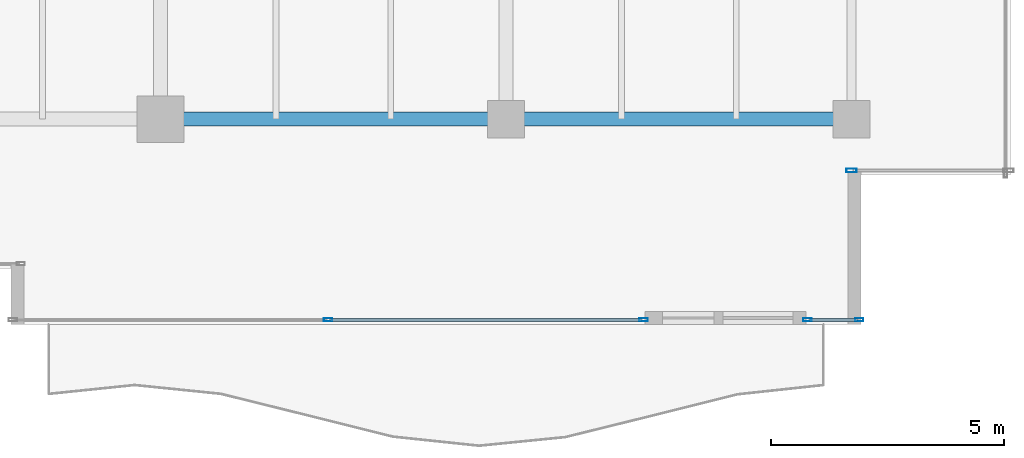
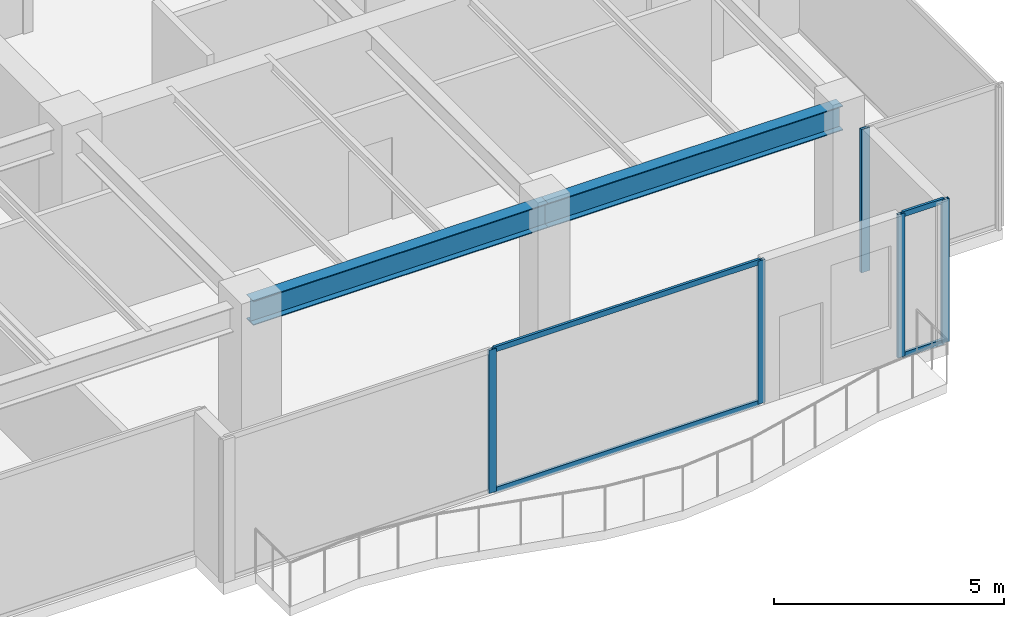
# One storey, part 12 of 34: 9 members, 2 beams, 3 elements without a shape of their own.
"""IFC4 building model written with IfcOpenShell, lengths in metres."""

from ifc_helpers import new_model, si_unit, direction, frame, origin, origin_2d, place, context, subcontext, project, spatial, hollow_rectangle, i_section, extrude, source, transform, mapped, material, layer, layer_set, material_profile, profile_set, type_object, type_shapes, element, aggregate, save


model = new_model("IFC4")

# Units and contexts
model_context = context("Model", 3, precision=1e-05, world=origin(), true_north=direction((0.0, 1.0)))
body_context = subcontext(model_context, "Body", "Model", "MODEL_VIEW")
ifc_project = project(units=[si_unit("LENGTHUNIT", "METRE"), si_unit("AREAUNIT", "SQUARE_METRE"), si_unit("VOLUMEUNIT", "CUBIC_METRE"), si_unit("PLANEANGLEUNIT", "RADIAN"), si_unit("MASSUNIT", "GRAM", prefix="KILO")], contexts=[model_context])

# Site, building, storey
site_placement = place(None, origin())
site = spatial("IfcSite", under=ifc_project, at=site_placement, CompositionType="ELEMENT")
building_placement = place(site_placement, origin())
building = spatial("IfcBuilding", under=site, at=building_placement, Name="Haelvirn Gate Laboratories", CompositionType="ELEMENT")
storey_placement = place(building_placement, frame((0.0, 0.0, 246.5)))
storey = spatial("IfcBuildingStorey", under=building, at=storey_placement, Name="L59", CompositionType="ELEMENT", Elevation=246.5)

# Beams
ifc_material_1 = material(Name="Steel SM355", Category="steel")
ifc_material_profile_1 = material_profile(ifc_material_1, i_section(OverallWidth=0.300048828125, OverallDepth=0.64990234375, WebThickness=0.012939453125, FlangeThickness=0.02197265625, at=origin_2d()), Name="H-650x300x13x22")
ifc_profile_set_1 = profile_set([ifc_material_profile_1], Name="Steel SM355")
beam_type = type_object("IfcBeamType", Name="BM-G-650", PredefinedType="BEAM", material=ifc_profile_set_1)
shared_shape_1 = source(origin(), body_context, "Body", "SweptSolid", [
    extrude(i_section(OverallWidth=0.300048828125, OverallDepth=0.64990234375, WebThickness=0.012939453125, FlangeThickness=0.02197265625, at=origin_2d()), origin(), (0.0, 0.0, 1.0), 7.39990234375),
])
type_shapes(beam_type, [shared_shape_1])
for number, where, z_axis, x_axis, name in (
    (1, (52.60009765625, 7.0, 3.47509765625), (1.0, 0.0, 0.0), (0.0, 1.0, 0.0), "L59 Primary Girder Y7.0 (52.6-60.0)"),
    (2, (60.0, 7.0, 3.47509765625), (1.0, 0.0, 0.0), (0.0, 1.0, 0.0), "L59 Primary Girder Y7.0 (60.0-67.4)"),
):
    element("IfcBeam", number, at=place(storey_placement, frame(where, z_axis=z_axis, x_axis=x_axis)), inside=storey, type_object=beam_type, Name=name, PredefinedType="BEAM", context=body_context, shape_type="MappedRepresentation", body=[
        mapped(shared_shape_1, transform((0.0, 0.0, 0.0), scale=1.0)),
    ])

# Curtain wall, members
ifc_material_2 = material(Name="Anodised bronze unitised aluminium & triple low-E glass", Category="aluminium")
ifc_layer_1 = layer(ifc_material_2, 0.176025390625, Name="CW-SYS-4")
ifc_layer_set_1 = layer_set([ifc_layer_1], Name="Anodised bronze unitised aluminium & triple low-E glass")
curtain_wall_type_1 = type_object("IfcCurtainWallType", Name="CW-SYS-4", PredefinedType="NOTDEFINED", material=ifc_layer_set_1)
curtain_wall_1_placement = place(storey_placement, origin())
curtain_wall_1 = element("IfcCurtainWall", 3, at=curtain_wall_1_placement, inside=storey, type_object=curtain_wall_type_1, Name="L59 Unitised Curtain Wall CW-L59-P0-E04-1", PredefinedType="NOTDEFINED")
ifc_material_3 = material(Name="Extruded aluminium 6063-T6 (anodised bronze)", Category="aluminium")
ifc_material_profile_2 = material_profile(ifc_material_3, hollow_rectangle(XDim=0.070068359375, YDim=0.179931640625, WallThickness=0.0048828125, at=origin_2d()), Name="CWM-180x70x5")
ifc_profile_set_2 = profile_set([ifc_material_profile_2], Name="Extruded aluminium 6063-T6 (anodised bronze)")
member_type_1 = type_object("IfcMemberType", Name="CWM-T180", PredefinedType="MULLION", material=ifc_profile_set_2)
shared_shape_2 = source(origin(), body_context, "Body", "SweptSolid", [
    extrude(hollow_rectangle(XDim=0.070068359375, YDim=0.179931640625, WallThickness=0.0048828125, at=origin_2d()), origin(), (0.0, 0.0, 1.0), 3.800048828125),
])
type_shapes(member_type_1, [shared_shape_2])
member_1_placement = place(storey_placement, frame((56.18994140625, 2.699951171875, 0.0), z_axis=(0.0, 0.0, 1.0), x_axis=(0.0, 1.0, 0.0)))
member_1 = element("IfcMember", 4, at=member_1_placement, type_object=member_type_1, Name="CW4 mullion 2", PredefinedType="MULLION", context=body_context, shape_type="MappedRepresentation", body=[
    mapped(shared_shape_2, transform((0.0, 0.0, 0.0), scale=1.0)),
])
member_2_placement = place(storey_placement, frame((62.945068359375, 2.699951171875, 0.0), z_axis=(0.0, 0.0, 1.0), x_axis=(0.0, 1.0, 0.0)))
member_2 = element("IfcMember", 5, at=member_2_placement, type_object=member_type_1, Name="CW4 mullion 3", PredefinedType="MULLION", context=body_context, shape_type="MappedRepresentation", body=[
    mapped(shared_shape_2, transform((0.0, 0.0, 0.0), scale=1.0)),
])

curtain_wall_2_placement = place(storey_placement, origin())
curtain_wall_2 = element("IfcCurtainWall", 6, at=curtain_wall_2_placement, inside=storey, type_object=curtain_wall_type_1, Name="L59 Unitised Curtain Wall CW-L59-P0-E04-2", PredefinedType="NOTDEFINED")
member_3_placement = place(storey_placement, frame((66.455078125, 2.699951171875, 0.0), z_axis=(0.0, 0.0, 1.0), x_axis=(0.0, 1.0, 0.0)))
member_3 = element("IfcMember", 7, at=member_3_placement, type_object=member_type_1, Name="CW4 mullion 1", PredefinedType="MULLION", context=body_context, shape_type="MappedRepresentation", body=[
    mapped(shared_shape_2, transform((0.0, 0.0, 0.0), scale=1.0)),
])
member_4_placement = place(storey_placement, frame((67.56494140625, 2.699951171875, 0.0), z_axis=(0.0, 0.0, 1.0), x_axis=(0.0, 1.0, 0.0)))
member_4 = element("IfcMember", 8, at=member_4_placement, type_object=member_type_1, Name="CW4 mullion 2", PredefinedType="MULLION", context=body_context, shape_type="MappedRepresentation", body=[
    mapped(shared_shape_2, transform((0.0, 0.0, 0.0), scale=1.0)),
])

# Curtain wall, member
ifc_layer_2 = layer(ifc_material_2, 0.181884765625, Name="CW-SYS-5")
ifc_layer_set_2 = layer_set([ifc_layer_2], Name="Anodised bronze unitised aluminium & triple low-E glass")
curtain_wall_type_2 = type_object("IfcCurtainWallType", Name="CW-SYS-5", PredefinedType="NOTDEFINED", material=ifc_layer_set_2)
curtain_wall_3_placement = place(storey_placement, origin())
curtain_wall_3 = element("IfcCurtainWall", 9, at=curtain_wall_3_placement, inside=storey, type_object=curtain_wall_type_2, Name="L59 Unitised Curtain Wall CW-L59-P0-E06-1", PredefinedType="NOTDEFINED")
ifc_material_profile_3 = material_profile(ifc_material_3, hollow_rectangle(XDim=0.080078125, YDim=0.219970703125, WallThickness=0.006103515625, at=origin_2d()), Name="CWM-220x80x6")
ifc_profile_set_3 = profile_set([ifc_material_profile_3], Name="Extruded aluminium 6063-T6 (anodised bronze)")
member_type_2 = type_object("IfcMemberType", Name="CWM-T220", PredefinedType="MULLION", material=ifc_profile_set_3)
shared_shape_3 = source(origin(), body_context, "Body", "SweptSolid", [
    extrude(hollow_rectangle(XDim=0.080078125, YDim=0.219970703125, WallThickness=0.006103515625, at=origin_2d()), origin(), (0.0, 0.0, 1.0), 3.800048828125),
])
type_shapes(member_type_2, [shared_shape_3])
member_5_placement = place(storey_placement, frame((67.39990234375, 5.89990234375, 0.0), z_axis=(0.0, 0.0, 1.0), x_axis=(0.0, 1.0, 0.0)))
member_5 = element("IfcMember", 10, at=member_5_placement, type_object=member_type_2, Name="CW5 mullion 1", PredefinedType="MULLION", context=body_context, shape_type="MappedRepresentation", body=[
    mapped(shared_shape_3, transform((0.0, 0.0, 0.0), scale=1.0)),
])
aggregate(curtain_wall_3, [member_5])

# Member
ifc_material_profile_4 = material_profile(ifc_material_3, hollow_rectangle(XDim=0.06494140625, YDim=0.139892578125, WallThickness=0.00390625, at=origin_2d()), Name="CWT-140x65x4")
ifc_profile_set_4 = profile_set([ifc_material_profile_4], Name="Extruded aluminium 6063-T6 (anodised bronze)")
member_type_3 = type_object("IfcMemberType", Name="CWT-T140", PredefinedType="USERDEFINED", material=ifc_profile_set_4)
shared_shape_4 = source(origin(), body_context, "Body", "SweptSolid", [
    extrude(hollow_rectangle(XDim=0.06494140625, YDim=0.139892578125, WallThickness=0.00390625, at=origin_2d()), origin(), (0.0, 0.0, 1.0), 6.684814453125),
])
member_6_placement = place(storey_placement, frame((56.22509765625, 2.699951171875, 0.032470703125), z_axis=(1.0, 0.0, 0.0), x_axis=(0.0, 1.0, 0.0)))
member_6 = element("IfcMember", 11, at=member_6_placement, type_object=member_type_3, Name="CW4 transom 2.1", ObjectType="TRANSOM", PredefinedType="USERDEFINED", context=body_context, shape_type="MappedRepresentation", body=[
    mapped(shared_shape_4, transform((0.0, 0.0, 0.0), scale=1.0)),
])

member_7_placement = place(storey_placement, frame((56.22509765625, 2.699951171875, 3.767578125), z_axis=(1.0, 0.0, 0.0), x_axis=(0.0, 1.0, 0.0)))
member_7 = element("IfcMember", 12, at=member_7_placement, type_object=member_type_3, Name="CW4 transom 2.2", ObjectType="TRANSOM", PredefinedType="USERDEFINED", context=body_context, shape_type="MappedRepresentation", body=[
    mapped(shared_shape_4, transform((0.0, 0.0, 0.0), scale=1.0)),
])

aggregate(curtain_wall_1, [member_1, member_2, member_6, member_7])

shared_shape_5 = source(origin(), body_context, "Body", "SweptSolid", [
    extrude(hollow_rectangle(XDim=0.06494140625, YDim=0.139892578125, WallThickness=0.00390625, at=origin_2d()), origin(), (0.0, 0.0, 1.0), 1.0400390625),
])
type_shapes(member_type_3, [shared_shape_4, shared_shape_5])
member_8_placement = place(storey_placement, frame((66.489990234375, 2.699951171875, 0.032470703125), z_axis=(1.0, 0.0, 0.0), x_axis=(0.0, 1.0, 0.0)))
member_8 = element("IfcMember", 13, at=member_8_placement, type_object=member_type_3, Name="CW4 transom 1.1", ObjectType="TRANSOM", PredefinedType="USERDEFINED", context=body_context, shape_type="MappedRepresentation", body=[
    mapped(shared_shape_5, transform((0.0, 0.0, 0.0), scale=1.0)),
])

member_9_placement = place(storey_placement, frame((66.489990234375, 2.699951171875, 3.767578125), z_axis=(1.0, 0.0, 0.0), x_axis=(0.0, 1.0, 0.0)))
member_9 = element("IfcMember", 14, at=member_9_placement, type_object=member_type_3, Name="CW4 transom 1.2", ObjectType="TRANSOM", PredefinedType="USERDEFINED", context=body_context, shape_type="MappedRepresentation", body=[
    mapped(shared_shape_5, transform((0.0, 0.0, 0.0), scale=1.0)),
])

aggregate(curtain_wall_2, [member_3, member_4, member_8, member_9])

save(model, "model.ifc")
